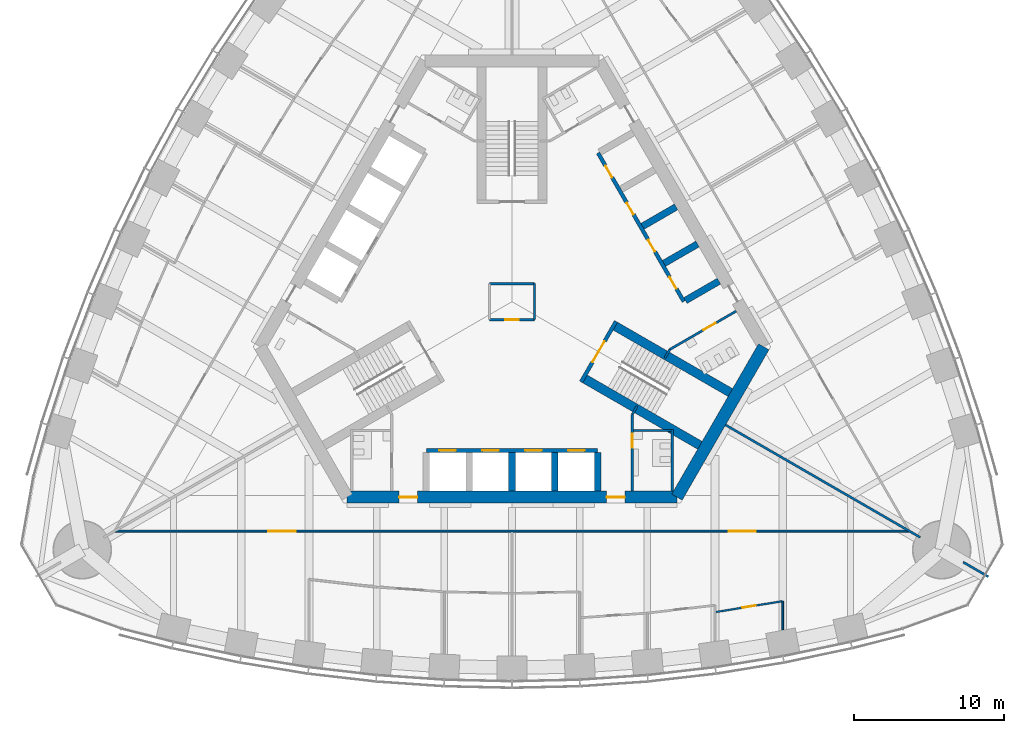
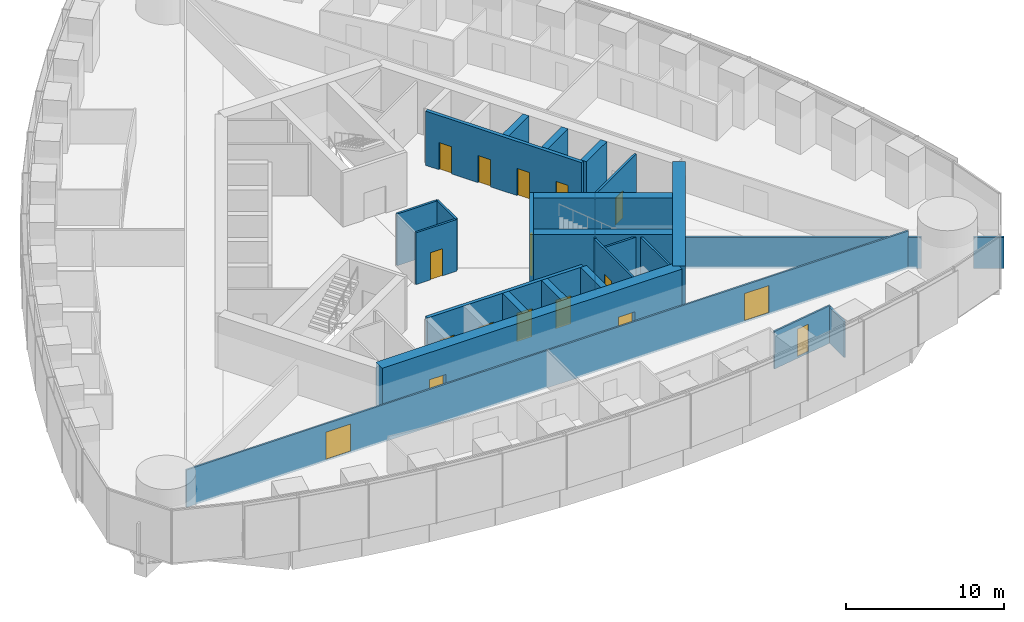
# One storey, part 12 of 19: 27 walls, 17 doors, 17 openings.
"""IFC4 building model written with IfcOpenShell, lengths in metres."""

from ifc_helpers import new_model, si_unit, direction, frame, frame_2d, origin, place, context, subcontext, project, spatial, rectangle, extrude, material, layer, layer_set, type_object, element, fill, save


model = new_model("IFC4")

# Units and contexts
model_context = context("Model", 3, precision=1e-05, world=origin(), true_north=direction((0.0, 1.0)))
body_context = subcontext(model_context, "Body", "Model", "MODEL_VIEW")
ifc_project = project(units=[si_unit("LENGTHUNIT", "METRE"), si_unit("AREAUNIT", "SQUARE_METRE"), si_unit("VOLUMEUNIT", "CUBIC_METRE"), si_unit("PLANEANGLEUNIT", "RADIAN"), si_unit("MASSUNIT", "GRAM", prefix="KILO")], contexts=[model_context])

# Site, building, storey
site_placement = place(None, origin())
site = spatial("IfcSite", under=ifc_project, at=site_placement, CompositionType="ELEMENT")
building_placement = place(site_placement, origin())
building = spatial("IfcBuilding", under=site, at=building_placement, Name="Trefoil Bronze Tower", CompositionType="ELEMENT")
storey_placement = place(building_placement, frame((0.0, 0.0, 193.89990234375)))
storey = spatial("IfcBuildingStorey", under=building, at=storey_placement, Name="L44", CompositionType="ELEMENT", Elevation=193.89990234375)

# Wall, openings, doors
ifc_material_1 = material(Name="Concrete B80", Category="concrete")
ifc_layer_1 = layer(ifc_material_1, 0.800048828125)
ifc_layer_set_1 = layer_set([ifc_layer_1], Name="Core wall 800")
wall_type_1 = type_object("IfcWallType", Name="Core wall 800", PredefinedType="SHEAR", material=ifc_layer_set_1)
wall_1_placement = place(storey_placement, frame((-10.9697265625, -13.0, 0.0), z_axis=(0.0, 0.0, 1.0), x_axis=(1.0, 0.0, 0.0)))
wall_1 = element("IfcWall", 1, at=wall_1_placement, inside=storey, type_object=wall_type_1, Name="Core long wall 1 L44", PredefinedType="SHEAR", context=body_context, shape_type="SweptSolid", body=[
    extrude(rectangle(XDim=21.939453125, YDim=0.800048828125, at=frame_2d((10.9697265625, 0.0))), origin(), (0.0, 0.0, 1.0), 4.2001953125),
])
opening_1_placement = place(wall_1_placement, frame((17.269775390625, 0.0, 0.0)))
opening_1 = element("IfcOpeningElement", 2, at=opening_1_placement, cuts=wall_1, Name="Opening D2", PredefinedType="OPENING", context=body_context, shape_type="SweptSolid", body=[
    extrude(rectangle(XDim=1.199951171875, YDim=2.10009765625, at=frame_2d((0.60009765625, 1.050048828125))), frame((0.0, 0.409912109375, 0.0), z_axis=(0.0, -1.0, 0.0), x_axis=(1.0, 0.0, 0.0)), (0.0, 0.0, 1.0), 0.820068359375),
])
opening_2_placement = place(wall_1_placement, frame((3.4697265625, 0.0, 0.0)))
opening_2 = element("IfcOpeningElement", 3, at=opening_2_placement, cuts=wall_1, Name="Opening D2", PredefinedType="OPENING", context=body_context, shape_type="SweptSolid", body=[
    extrude(rectangle(XDim=1.199951171875, YDim=2.10009765625, at=frame_2d((0.60009765625, 1.050048828125))), frame((0.0, 0.409912109375, 0.0), z_axis=(0.0, -1.0, 0.0), x_axis=(1.0, 0.0, 0.0)), (0.0, 0.0, 1.0), 0.820068359375),
])
ifc_material_2 = material(Name="Steel door", Category="steel")
door_type_1 = type_object("IfcDoorType", Name="Lobby door 1200", OperationType="SINGLE_SWING_RIGHT", PredefinedType="DOOR", material=ifc_material_2)
door_1_placement = place(opening_1_placement, origin())
door_1 = element("IfcDoor", 4, at=door_1_placement, inside=storey, type_object=door_type_1, Name="Lobby door F1+ L44", OperationType="SINGLE_SWING_RIGHT", OverallHeight=2.10009765625, OverallWidth=1.199951171875, PredefinedType="DOOR", context=body_context, shape_type="SweptSolid", body=[
    extrude(rectangle(XDim=1.199951171875, YDim=2.10009765625, at=frame_2d((0.60009765625, 1.050048828125))), frame((0.0, 0.02490234375, 0.0), z_axis=(0.0, -1.0, 0.0), x_axis=(1.0, 0.0, 0.0)), (0.0, 0.0, 1.0), 0.050048828125),
])
fill(opening_1, door_1)
door_2_placement = place(opening_2_placement, origin())
door_2 = element("IfcDoor", 5, at=door_2_placement, inside=storey, type_object=door_type_1, Name="Lobby door F1- L44", OperationType="SINGLE_SWING_LEFT", OverallHeight=2.10009765625, OverallWidth=1.199951171875, PredefinedType="DOOR", context=body_context, shape_type="SweptSolid", body=[
    extrude(rectangle(XDim=1.199951171875, YDim=2.10009765625, at=frame_2d((0.60009765625, 1.050048828125))), frame((0.0, 0.02490234375, 0.0), z_axis=(0.0, -1.0, 0.0), x_axis=(1.0, 0.0, 0.0)), (0.0, 0.0, 1.0), 0.050048828125),
])
fill(opening_2, door_2)

# Wall
wall_2_placement = place(storey_placement, frame((10.9697265625, -13.0, 0.0), z_axis=(0.0, 0.0, 1.0), x_axis=(0.499995765644, 0.866027848477, 0.0)))
element("IfcWall", 6, at=wall_2_placement, inside=storey, type_object=wall_type_1, Name="Core short wall 1 L44", PredefinedType="SHEAR", context=body_context, shape_type="SweptSolid", body=[
    extrude(rectangle(XDim=11.546875, YDim=0.800048828125, at=frame_2d((5.7734375, 0.0))), origin(), (0.0, 0.0, 1.0), 4.2001953125),
])

# Wall, openings, doors
ifc_material_3 = material(Name="Glazed partition", Category="glass")
ifc_layer_2 = layer(ifc_material_3, 0.1201171875)
ifc_layer_set_2 = layer_set([ifc_layer_2], Name="Glazed partition 120")
wall_type_2 = type_object("IfcWallType", Name="Glazed partition 120", PredefinedType="PARTITIONING", material=ifc_layer_set_2)
wall_3_placement = place(storey_placement, frame((-26.398193359375, -15.260009765625, 0.0), z_axis=(0.0, 0.0, 1.0), x_axis=(1.0, 0.0, 0.0)))
wall_3 = element("IfcWall", 7, at=wall_3_placement, inside=storey, type_object=wall_type_2, Name="Partition F1 L44", PredefinedType="PARTITIONING", context=body_context, shape_type="SweptSolid", body=[
    extrude(rectangle(XDim=52.79638671875, YDim=0.1201171875, at=frame_2d((26.398193359375, 0.0))), origin(), (0.0, 0.0, 1.0), 2.900146484375),
])
opening_3_placement = place(wall_3_placement, frame((10.199951171875, 0.0, 0.14990234375)))
opening_3 = element("IfcOpeningElement", 8, at=opening_3_placement, cuts=wall_3, Name="Opening D10", PredefinedType="OPENING", context=body_context, shape_type="SweptSolid", body=[
    extrude(rectangle(XDim=1.800048828125, YDim=2.10009765625, at=frame_2d((0.89990234375, 1.050048828125))), frame((0.0, 0.070068359375, 0.0), z_axis=(0.0, -1.0, 0.0), x_axis=(1.0, 0.0, 0.0)), (0.0, 0.0, 1.0), 0.14013671875),
])
opening_4_placement = place(wall_3_placement, frame((40.800048828125, 0.0, 0.14990234375)))
opening_4 = element("IfcOpeningElement", 9, at=opening_4_placement, cuts=wall_3, Name="Opening D10", PredefinedType="OPENING", context=body_context, shape_type="SweptSolid", body=[
    extrude(rectangle(XDim=1.800048828125, YDim=2.10009765625, at=frame_2d((0.89990234375, 1.050048828125))), frame((0.0, 0.070068359375, 0.0), z_axis=(0.0, -1.0, 0.0), x_axis=(1.0, 0.0, 0.0)), (0.0, 0.0, 1.0), 0.14013671875),
])
ifc_material_4 = material(Name="Timber door", Category="wood")
door_type_2 = type_object("IfcDoorType", Name="Double door 1800", OperationType="DOUBLE_DOOR_SINGLE_SWING", PredefinedType="DOOR", material=ifc_material_4)
door_3_placement = place(opening_3_placement, origin())
door_3 = element("IfcDoor", 10, at=door_3_placement, inside=storey, type_object=door_type_2, Name="Corridor door F1 L44", OperationType="DOUBLE_DOOR_SINGLE_SWING", OverallHeight=2.10009765625, OverallWidth=1.800048828125, PredefinedType="DOOR", context=body_context, shape_type="SweptSolid", body=[
    extrude(rectangle(XDim=1.800048828125, YDim=2.10009765625, at=frame_2d((0.89990234375, 1.050048828125))), frame((0.0, 0.02490234375, 0.0), z_axis=(0.0, -1.0, 0.0), x_axis=(1.0, 0.0, 0.0)), (0.0, 0.0, 1.0), 0.050048828125),
])
fill(opening_3, door_3)
door_4_placement = place(opening_4_placement, origin())
door_4 = element("IfcDoor", 11, at=door_4_placement, inside=storey, type_object=door_type_2, Name="Corridor door F1 L44", OperationType="DOUBLE_DOOR_SINGLE_SWING", OverallHeight=2.10009765625, OverallWidth=1.800048828125, PredefinedType="DOOR", context=body_context, shape_type="SweptSolid", body=[
    extrude(rectangle(XDim=1.800048828125, YDim=2.10009765625, at=frame_2d((0.89990234375, 1.050048828125))), frame((0.0, 0.02490234375, 0.0), z_axis=(0.0, -1.0, 0.0), x_axis=(1.0, 0.0, 0.0)), (0.0, 0.0, 1.0), 0.050048828125),
])
fill(opening_4, door_4)

# Wall, opening, door
wall_4_placement = place(storey_placement, frame((13.5, -20.651123046875, 0.0), z_axis=(0.0, 0.0, 1.0), x_axis=(0.986986525477, 0.160802980469, 0.0)))
wall_4 = element("IfcWall", 12, at=wall_4_placement, inside=storey, type_object=wall_type_2, Name="Partition F1 L44", PredefinedType="PARTITIONING", context=body_context, shape_type="SweptSolid", body=[
    extrude(rectangle(XDim=4.559326171875, YDim=0.1201171875, at=frame_2d((2.27978515625, 0.0))), origin(), (0.0, 0.0, 1.0), 2.900146484375),
])
opening_5_placement = place(wall_4_placement, frame((1.85009765625, 0.0, 0.14990234375)))
opening_5 = element("IfcOpeningElement", 13, at=opening_5_placement, cuts=wall_4, Name="Opening D8", PredefinedType="OPENING", context=body_context, shape_type="SweptSolid", body=[
    extrude(rectangle(XDim=0.89990234375, YDim=2.10009765625, at=frame_2d((0.449951171875, 1.050048828125))), frame((0.0, 0.070068359375, 0.0), z_axis=(0.0, -1.0, 0.0), x_axis=(1.0, 0.0, 0.0)), (0.0, 0.0, 1.0), 0.14013671875),
])
ifc_material_5 = material(Name="Timber door", Category="wood")
door_type_3 = type_object("IfcDoorType", Name="Office door 900", OperationType="SINGLE_SWING_LEFT", PredefinedType="DOOR", material=ifc_material_5)
door_5_placement = place(opening_5_placement, frame((0.89990234375, 0.0, 0.0), z_axis=(0.0, 0.0, 1.0), x_axis=(-1.0, 0.0, 0.0)))
door_5 = element("IfcDoor", 14, at=door_5_placement, inside=storey, type_object=door_type_3, Name="Print and store room door F1 L44", OperationType="SINGLE_SWING_LEFT", OverallHeight=2.10009765625, OverallWidth=0.89990234375, PredefinedType="DOOR", context=body_context, shape_type="SweptSolid", body=[
    extrude(rectangle(XDim=0.89990234375, YDim=2.10009765625, at=frame_2d((0.449951171875, 1.050048828125))), frame((0.0, 0.02490234375, 0.0), z_axis=(0.0, -1.0, 0.0), x_axis=(1.0, 0.0, 0.0)), (0.0, 0.0, 1.0), 0.050048828125),
])
fill(opening_5, door_5)

# Walls
wall_5_placement = place(storey_placement, frame((18.0, -19.91796875, 0.0), z_axis=(0.0, 0.0, 1.0), x_axis=(0.0, -1.0, 0.0)))
element("IfcWall", 15, at=wall_5_placement, inside=storey, type_object=wall_type_2, Name="Partition F1 L44", PredefinedType="PARTITIONING", context=body_context, shape_type="SweptSolid", body=[
    extrude(rectangle(XDim=1.906982421875, YDim=0.1201171875, at=frame_2d((0.95361328125, 0.0))), origin(), (0.0, 0.0, 1.0), 2.800048828125),
])
ifc_material_6 = material(Name="Concrete B80", Category="concrete")
ifc_layer_3 = layer(ifc_material_6, 0.449951171875)
ifc_layer_set_3 = layer_set([ifc_layer_3], Name="Outrigger shaft wall 450")
wall_type_3 = type_object("IfcWallType", Name="Outrigger shaft wall 450", PredefinedType="SHEAR", material=ifc_layer_set_3)
for number, where, z_axis, x_axis, name in (
    (16, (0.0, -10.02490234375, 0.0), (0.0, 0.0, 1.0), (0.0, -1.0, 0.0), "Lift shaft side wall A2 L44"),
    (17, (2.85009765625, -10.02490234375, 0.0), (0.0, 0.0, 1.0), (0.0, -1.0, 0.0), "Lift shaft side wall A3 L44"),
    (18, (5.699951171875, -10.02490234375, 0.0), (0.0, 0.0, 1.0), (0.0, -1.0, 0.0), "Lift shaft side wall A4 L44"),
):
    element("IfcWall", number, at=place(storey_placement, frame(where, z_axis=z_axis, x_axis=x_axis)), inside=storey, type_object=wall_type_3, Name=name, PredefinedType="SHEAR", context=body_context, shape_type="SweptSolid", body=[
        extrude(rectangle(XDim=2.5751953125, YDim=0.449951171875, at=frame_2d((1.28759765625, 0.0))), origin(), (0.0, 0.0, 1.0), 4.2001953125),
    ])
for number, where, z_axis, x_axis, name in (
    (19, (11.531982421875, 0.076171875, 0.0), (0.0, 0.0, 1.0), (0.866005588531, 0.500034319456, 0.0), "Lift shaft side wall B0 L44"),
    (20, (10.10693359375, 2.54443359375, 0.0), (0.0, 0.0, 1.0), (0.866046643894, 0.499963209246, 0.0), "Lift shaft side wall B1 L44"),
    (21, (8.681884765625, 5.012451171875, 0.0), (0.0, 0.0, 1.0), (0.866005588531, 0.500034319456, 0.0), "Lift shaft side wall B2 L44"),
):
    element("IfcWall", number, at=place(storey_placement, frame(where, z_axis=z_axis, x_axis=x_axis)), inside=storey, type_object=wall_type_3, Name=name, PredefinedType="SHEAR", context=body_context, shape_type="SweptSolid", body=[
        extrude(rectangle(XDim=2.574951171875, YDim=0.449951171875, at=frame_2d((1.28759765625, 0.0))), origin(), (0.0, 0.0, 1.0), 4.2001953125),
    ])

# Wall, opening, door
ifc_material_7 = material(Name="Gypsum board on steel studs", Category="steel")
ifc_layer_4 = layer(ifc_material_7, 0.14990234375)
ifc_layer_set_4 = layer_set([ifc_layer_4], Name="Partition 150")
wall_type_4 = type_object("IfcWallType", Name="Partition 150", PredefinedType="PARTITIONING", material=ifc_layer_set_4)
wall_6_placement = place(storey_placement, frame((8.0, -7.5, 0.0), z_axis=(0.0, 0.0, 1.0), x_axis=(0.0, -1.0, 0.0)))
wall_6 = element("IfcWall", 22, at=wall_6_placement, inside=storey, type_object=wall_type_4, Name="Passage wall F1+ L44", PredefinedType="PARTITIONING", context=body_context, shape_type="SweptSolid", body=[
    extrude(rectangle(XDim=5.10009765625, YDim=0.14990234375, at=frame_2d((2.550048828125, 0.0))), origin(), (0.0, 0.0, 1.0), 4.0),
])
opening_6_placement = place(wall_6_placement, frame((1.300048828125, 0.0, 0.0)))
opening_6 = element("IfcOpeningElement", 23, at=opening_6_placement, cuts=wall_6, Name="Opening D3", PredefinedType="OPENING", context=body_context, shape_type="SweptSolid", body=[
    extrude(rectangle(XDim=0.89990234375, YDim=2.10009765625, at=frame_2d((0.449951171875, 1.050048828125))), frame((0.0, 0.0849609375, 0.0), z_axis=(0.0, -1.0, 0.0), x_axis=(1.0, 0.0, 0.0)), (0.0, 0.0, 1.0), 0.169921875),
])
ifc_material_8 = material(Name="Timber door", Category="wood")
door_type_4 = type_object("IfcDoorType", Name="WC door 900", OperationType="SINGLE_SWING_LEFT", PredefinedType="DOOR", material=ifc_material_8)
door_6_placement = place(opening_6_placement, origin())
door_6 = element("IfcDoor", 24, at=door_6_placement, inside=storey, type_object=door_type_4, Name="WC (men) door L44", OperationType="SINGLE_SWING_LEFT", OverallHeight=2.10009765625, OverallWidth=0.89990234375, PredefinedType="DOOR", context=body_context, shape_type="SweptSolid", body=[
    extrude(rectangle(XDim=0.89990234375, YDim=2.10009765625, at=frame_2d((0.449951171875, 1.050048828125))), frame((0.0, 0.02490234375, 0.0), z_axis=(0.0, -1.0, 0.0), x_axis=(1.0, 0.0, 0.0)), (0.0, 0.0, 1.0), 0.050048828125),
])
fill(opening_6, door_6)

wall_7_placement = place(storey_placement, frame((10.4951171875, -3.17822265625, 0.0), z_axis=(0.0, 0.0, 1.0), x_axis=(0.86602216432, 0.500005610874, 0.0)))
wall_7 = element("IfcWall", 25, at=wall_7_placement, inside=storey, type_object=wall_type_4, Name="Passage wall F2- L44", PredefinedType="PARTITIONING", context=body_context, shape_type="SweptSolid", body=[
    extrude(rectangle(XDim=5.10009765625, YDim=0.14990234375, at=frame_2d((2.550048828125, 0.0))), origin(), (0.0, 0.0, 1.0), 4.0),
])
opening_7_placement = place(wall_7_placement, frame((2.60009765625, 0.0, 0.0)))
opening_7 = element("IfcOpeningElement", 26, at=opening_7_placement, cuts=wall_7, Name="Opening D3", PredefinedType="OPENING", context=body_context, shape_type="SweptSolid", body=[
    extrude(rectangle(XDim=0.89990234375, YDim=2.10009765625, at=frame_2d((0.449951171875, 1.050048828125))), frame((0.0, 0.0849609375, 0.0), z_axis=(0.0, -1.0, 0.0), x_axis=(1.0, 0.0, 0.0)), (0.0, 0.0, 1.0), 0.169921875),
])
door_7_placement = place(opening_7_placement, frame((0.89990234375, 0.0, 0.0), z_axis=(0.0, 0.0, 1.0), x_axis=(-1.0, 0.0, 0.0)))
door_7 = element("IfcDoor", 27, at=door_7_placement, inside=storey, type_object=door_type_4, Name="WC (women) door L44", OperationType="SINGLE_SWING_LEFT", OverallHeight=2.10009765625, OverallWidth=0.89990234375, PredefinedType="DOOR", context=body_context, shape_type="SweptSolid", body=[
    extrude(rectangle(XDim=0.89990234375, YDim=2.10009765625, at=frame_2d((0.449951171875, 1.050048828125))), frame((0.0, 0.02490234375, 0.0), z_axis=(0.0, -1.0, 0.0), x_axis=(1.0, 0.0, 0.0)), (0.0, 0.0, 1.0), 0.050048828125),
])
fill(opening_7, door_7)

# Walls
for number, where, z_axis, x_axis, name in (
    (28, (8.0, -7.5, 0.0), (0.0, 0.0, 1.0), (0.499842556608, 0.866116284689, 0.0), "WC wall ST1-1 L44"),
    (29, (10.4951171875, -3.17822265625, 0.0), (0.0, 0.0, 1.0), (-0.499842556608, -0.866116284689, 0.0), "WC wall ST1+1 L44"),
):
    element("IfcWall", number, at=place(storey_placement, frame(where, z_axis=z_axis, x_axis=x_axis)), inside=storey, type_object=wall_type_4, Name=name, PredefinedType="PARTITIONING", context=body_context, shape_type="SweptSolid", body=[
        extrude(rectangle(XDim=0.645263671875, YDim=0.14990234375, at=frame_2d((0.32275390625, 0.0))), origin(), (0.0, 0.0, 1.0), 4.0),
    ])
wall_8_placement = place(storey_placement, frame((10.659912109375, -8.5, 0.0), z_axis=(0.0, 0.0, 1.0), x_axis=(0.0, -1.0, 0.0)))
element("IfcWall", 30, at=wall_8_placement, inside=storey, type_object=wall_type_4, Name="WC partition WC (men) L44", PredefinedType="PARTITIONING", context=body_context, shape_type="SweptSolid", body=[
    extrude(rectangle(XDim=4.10009765625, YDim=0.14990234375, at=frame_2d((2.050048828125, 0.0))), origin(), (0.0, 0.0, 1.0), 4.0),
])
wall_9_placement = place(storey_placement, frame((8.074951171875, -8.574951171875, 0.0), z_axis=(0.0, 0.0, 1.0), x_axis=(1.0, 0.0, 0.0)))
element("IfcWall", 31, at=wall_9_placement, inside=storey, type_object=wall_type_4, Name="WC partition WC (men) L44", PredefinedType="PARTITIONING", context=body_context, shape_type="SweptSolid", body=[
    extrude(rectangle(XDim=2.510009765625, YDim=0.14990234375, at=frame_2d((1.2548828125, 0.0))), origin(), (0.0, 0.0, 1.0), 4.0),
])
ifc_material_9 = material(Name="Gypsum board on steel studs", Category="steel")
ifc_layer_5 = layer(ifc_material_9, 0.14990234375)
ifc_layer_set_5 = layer_set([ifc_layer_5], Name="Party wall 150")
wall_type_5 = type_object("IfcWallType", Name="Party wall 150", PredefinedType="PARTITIONING", material=ifc_layer_set_5)
wall_10_placement = place(storey_placement, frame((14.202880859375, -8.199951171875, 0.0), z_axis=(0.0, 0.0, 1.0), x_axis=(0.866021600284, -0.500006587798, 0.0)))
element("IfcWall", 32, at=wall_10_placement, inside=storey, type_object=wall_type_5, Name="Party wall K1 L44", PredefinedType="PARTITIONING", context=body_context, shape_type="SweptSolid", body=[
    extrude(rectangle(XDim=14.949951171875, YDim=0.14990234375, at=frame_2d((7.47509765625, 0.0))), origin(), (0.0, 0.0, 1.0), 2.400146484375),
])
wall_11_placement = place(storey_placement, frame((30.0078125, -17.324951171875, 0.0), z_axis=(0.0, 0.0, 1.0), x_axis=(0.866013246922, -0.500021055713, 0.0)))
element("IfcWall", 33, at=wall_11_placement, inside=storey, type_object=wall_type_5, Name="Party wall K1 L44", PredefinedType="PARTITIONING", context=body_context, shape_type="SweptSolid", body=[
    extrude(rectangle(XDim=1.9345703125, YDim=0.14990234375, at=frame_2d((0.96728515625, 0.0))), origin(), (0.0, 0.0, 1.0), 2.400146484375),
])

# Wall, opening, door
ifc_material_10 = material(Name="Gypsum board on steel studs", Category="steel")
ifc_layer_6 = layer(ifc_material_10, 0.14990234375)
ifc_layer_set_6 = layer_set([ifc_layer_6], Name="Riser wall 150")
wall_type_6 = type_object("IfcWallType", Name="Riser wall 150", PredefinedType="PARTITIONING", material=ifc_layer_set_6)
wall_12_placement = place(storey_placement, frame((-1.5, -1.199951171875, 0.0), z_axis=(0.0, 0.0, 1.0), x_axis=(1.0, 0.0, 0.0)))
wall_12 = element("IfcWall", 34, at=wall_12_placement, inside=storey, type_object=wall_type_6, Name="Riser wall L44", PredefinedType="PARTITIONING", context=body_context, shape_type="SweptSolid", body=[
    extrude(rectangle(XDim=3.0, YDim=0.14990234375, at=frame_2d((1.5, 0.0))), origin(), (0.0, 0.0, 1.0), 4.0),
])
opening_8_placement = place(wall_12_placement, frame((1.050048828125, 0.0, 0.0)))
opening_8 = element("IfcOpeningElement", 35, at=opening_8_placement, cuts=wall_12, Name="Opening D4", PredefinedType="OPENING", context=body_context, shape_type="SweptSolid", body=[
    extrude(rectangle(XDim=0.89990234375, YDim=2.10009765625, at=frame_2d((0.449951171875, 1.050048828125))), frame((0.0, 0.0849609375, 0.0), z_axis=(0.0, -1.0, 0.0), x_axis=(1.0, 0.0, 0.0)), (0.0, 0.0, 1.0), 0.169921875),
])
ifc_material_11 = material(Name="Steel door", Category="steel")
door_type_5 = type_object("IfcDoorType", Name="Riser door 900", OperationType="SINGLE_SWING_LEFT", PredefinedType="DOOR", material=ifc_material_11)
door_8_placement = place(opening_8_placement, frame((0.89990234375, 0.0, 0.0), z_axis=(0.0, 0.0, 1.0), x_axis=(-1.0, 0.0, 0.0)))
door_8 = element("IfcDoor", 36, at=door_8_placement, inside=storey, type_object=door_type_5, Name="Riser door L44", OperationType="SINGLE_SWING_LEFT", OverallHeight=2.10009765625, OverallWidth=0.89990234375, PredefinedType="DOOR", context=body_context, shape_type="SweptSolid", body=[
    extrude(rectangle(XDim=0.89990234375, YDim=2.10009765625, at=frame_2d((0.449951171875, 1.050048828125))), frame((0.0, 0.02490234375, 0.0), z_axis=(0.0, -1.0, 0.0), x_axis=(1.0, 0.0, 0.0)), (0.0, 0.0, 1.0), 0.050048828125),
])
fill(opening_8, door_8)

# Walls
wall_13_placement = place(storey_placement, frame((1.5, -1.199951171875, 0.0), z_axis=(0.0, 0.0, 1.0), x_axis=(0.0, 1.0, 0.0)))
element("IfcWall", 37, at=wall_13_placement, inside=storey, type_object=wall_type_6, Name="Riser wall L44", PredefinedType="PARTITIONING", context=body_context, shape_type="SweptSolid", body=[
    extrude(rectangle(XDim=2.39990234375, YDim=0.14990234375, at=frame_2d((1.199951171875, 0.0))), origin(), (0.0, 0.0, 1.0), 4.0),
])
wall_14_placement = place(storey_placement, frame((1.5, 1.199951171875, 0.0), z_axis=(0.0, 0.0, 1.0), x_axis=(-1.0, 0.0, 0.0)))
element("IfcWall", 38, at=wall_14_placement, inside=storey, type_object=wall_type_6, Name="Riser wall L44", PredefinedType="PARTITIONING", context=body_context, shape_type="SweptSolid", body=[
    extrude(rectangle(XDim=3.0, YDim=0.14990234375, at=frame_2d((1.5, 0.0))), origin(), (0.0, 0.0, 1.0), 4.0),
])

# Wall, openings, doors
ifc_material_12 = material(Name="Concrete B80", Category="concrete")
ifc_layer_7 = layer(ifc_material_12, 0.25)
ifc_layer_set_7 = layer_set([ifc_layer_7], Name="Shaft wall 250")
wall_type_7 = type_object("IfcWallType", Name="Shaft wall 250", PredefinedType="SHEAR", material=ifc_layer_set_7)
wall_15_placement = place(storey_placement, frame((-5.699951171875, -9.89990234375, 0.0), z_axis=(0.0, 0.0, 1.0), x_axis=(1.0, 0.0, 0.0)))
wall_15 = element("IfcWall", 39, at=wall_15_placement, inside=storey, type_object=wall_type_7, Name="Lift shaft front wall A L44", PredefinedType="SHEAR", context=body_context, shape_type="SweptSolid", body=[
    extrude(rectangle(XDim=11.39990234375, YDim=0.25, at=frame_2d((5.699951171875, 0.0))), origin(), (0.0, 0.0, 1.0), 4.2001953125),
])
opening_9_placement = place(wall_15_placement, frame((0.875, 0.0, 0.0)))
opening_9 = element("IfcOpeningElement", 40, at=opening_9_placement, cuts=wall_15, Name="Opening LD-P31", PredefinedType="OPENING", context=body_context, shape_type="SweptSolid", body=[
    extrude(rectangle(XDim=1.10009765625, YDim=2.199951171875, at=frame_2d((0.550048828125, 1.10009765625))), frame((0.0, 0.135009765625, 0.0), z_axis=(0.0, -1.0, 0.0), x_axis=(1.0, 0.0, 0.0)), (0.0, 0.0, 1.0), 0.27001953125),
])
opening_10_placement = place(wall_15_placement, frame((3.72509765625, 0.0, 0.0)))
opening_10 = element("IfcOpeningElement", 41, at=opening_10_placement, cuts=wall_15, Name="Opening LD-P32", PredefinedType="OPENING", context=body_context, shape_type="SweptSolid", body=[
    extrude(rectangle(XDim=1.10009765625, YDim=2.199951171875, at=frame_2d((0.550048828125, 1.10009765625))), frame((0.0, 0.135009765625, 0.0), z_axis=(0.0, -1.0, 0.0), x_axis=(1.0, 0.0, 0.0)), (0.0, 0.0, 1.0), 0.27001953125),
])
opening_11_placement = place(wall_15_placement, frame((6.574951171875, 0.0, 0.0)))
opening_11 = element("IfcOpeningElement", 42, at=opening_11_placement, cuts=wall_15, Name="Opening LD-P33", PredefinedType="OPENING", context=body_context, shape_type="SweptSolid", body=[
    extrude(rectangle(XDim=1.10009765625, YDim=2.199951171875, at=frame_2d((0.550048828125, 1.10009765625))), frame((0.0, 0.135009765625, 0.0), z_axis=(0.0, -1.0, 0.0), x_axis=(1.0, 0.0, 0.0)), (0.0, 0.0, 1.0), 0.27001953125),
])
opening_12_placement = place(wall_15_placement, frame((9.425048828125, 0.0, 0.0)))
opening_12 = element("IfcOpeningElement", 43, at=opening_12_placement, cuts=wall_15, Name="Opening LD-P34", PredefinedType="OPENING", context=body_context, shape_type="SweptSolid", body=[
    extrude(rectangle(XDim=1.10009765625, YDim=2.199951171875, at=frame_2d((0.550048828125, 1.10009765625))), frame((0.0, 0.135009765625, 0.0), z_axis=(0.0, -1.0, 0.0), x_axis=(1.0, 0.0, 0.0)), (0.0, 0.0, 1.0), 0.27001953125),
])
ifc_material_13 = material(Name="Steel door", Category="steel")
door_type_6 = type_object("IfcDoorType", Name="Lift landing door 1100", OperationType="DOUBLE_DOOR_SLIDING", PredefinedType="DOOR", material=ifc_material_13)
door_9_placement = place(opening_9_placement, origin())
door_9 = element("IfcDoor", 44, at=door_9_placement, inside=storey, type_object=door_type_6, Name="Lift P31 landing door L44", OperationType="DOUBLE_DOOR_SLIDING", OverallHeight=2.199951171875, OverallWidth=1.10009765625, PredefinedType="DOOR", context=body_context, shape_type="SweptSolid", body=[
    extrude(rectangle(XDim=1.10009765625, YDim=2.199951171875, at=frame_2d((0.550048828125, 1.10009765625))), frame((0.0, 0.02490234375, 0.0), z_axis=(0.0, -1.0, 0.0), x_axis=(1.0, 0.0, 0.0)), (0.0, 0.0, 1.0), 0.050048828125),
])
fill(opening_9, door_9)
door_10_placement = place(opening_10_placement, origin())
door_10 = element("IfcDoor", 45, at=door_10_placement, inside=storey, type_object=door_type_6, Name="Lift P32 landing door L44", OperationType="DOUBLE_DOOR_SLIDING", OverallHeight=2.199951171875, OverallWidth=1.10009765625, PredefinedType="DOOR", context=body_context, shape_type="SweptSolid", body=[
    extrude(rectangle(XDim=1.10009765625, YDim=2.199951171875, at=frame_2d((0.550048828125, 1.10009765625))), frame((0.0, 0.02490234375, 0.0), z_axis=(0.0, -1.0, 0.0), x_axis=(1.0, 0.0, 0.0)), (0.0, 0.0, 1.0), 0.050048828125),
])
fill(opening_10, door_10)
door_11_placement = place(opening_11_placement, origin())
door_11 = element("IfcDoor", 46, at=door_11_placement, inside=storey, type_object=door_type_6, Name="Lift P33 landing door L44", OperationType="DOUBLE_DOOR_SLIDING", OverallHeight=2.199951171875, OverallWidth=1.10009765625, PredefinedType="DOOR", context=body_context, shape_type="SweptSolid", body=[
    extrude(rectangle(XDim=1.10009765625, YDim=2.199951171875, at=frame_2d((0.550048828125, 1.10009765625))), frame((0.0, 0.02490234375, 0.0), z_axis=(0.0, -1.0, 0.0), x_axis=(1.0, 0.0, 0.0)), (0.0, 0.0, 1.0), 0.050048828125),
])
fill(opening_11, door_11)
door_12_placement = place(opening_12_placement, origin())
door_12 = element("IfcDoor", 47, at=door_12_placement, inside=storey, type_object=door_type_6, Name="Lift P34 landing door L44", OperationType="DOUBLE_DOOR_SLIDING", OverallHeight=2.199951171875, OverallWidth=1.10009765625, PredefinedType="DOOR", context=body_context, shape_type="SweptSolid", body=[
    extrude(rectangle(XDim=1.10009765625, YDim=2.199951171875, at=frame_2d((0.550048828125, 1.10009765625))), frame((0.0, 0.02490234375, 0.0), z_axis=(0.0, -1.0, 0.0), x_axis=(1.0, 0.0, 0.0)), (0.0, 0.0, 1.0), 0.050048828125),
])
fill(opening_12, door_12)

wall_16_placement = place(storey_placement, frame((11.423583984375, 0.013671875, 0.0), z_axis=(0.0, 0.0, 1.0), x_axis=(-0.500001763848, 0.866024385424, 0.0)))
wall_16 = element("IfcWall", 48, at=wall_16_placement, inside=storey, type_object=wall_type_7, Name="Lift shaft front wall B L44", PredefinedType="SHEAR", context=body_context, shape_type="SweptSolid", body=[
    extrude(rectangle(XDim=11.39990234375, YDim=0.25, at=frame_2d((5.699951171875, 0.0))), origin(), (0.0, 0.0, 1.0), 4.2001953125),
])
opening_13_placement = place(wall_16_placement, frame((0.97509765625, 0.0, 0.0)))
opening_13 = element("IfcOpeningElement", 49, at=opening_13_placement, cuts=wall_16, Name="Opening D12", PredefinedType="OPENING", context=body_context, shape_type="SweptSolid", body=[
    extrude(rectangle(XDim=0.89990234375, YDim=2.10009765625, at=frame_2d((0.449951171875, 1.050048828125))), frame((0.0, 0.135009765625, 0.0), z_axis=(0.0, -1.0, 0.0), x_axis=(1.0, 0.0, 0.0)), (0.0, 0.0, 1.0), 0.27001953125),
])
opening_14_placement = place(wall_16_placement, frame((3.824951171875, 0.0, 0.0)))
opening_14 = element("IfcOpeningElement", 50, at=opening_14_placement, cuts=wall_16, Name="Opening D12", PredefinedType="OPENING", context=body_context, shape_type="SweptSolid", body=[
    extrude(rectangle(XDim=0.89990234375, YDim=2.10009765625, at=frame_2d((0.449951171875, 1.050048828125))), frame((0.0, 0.135009765625, 0.0), z_axis=(0.0, -1.0, 0.0), x_axis=(1.0, 0.0, 0.0)), (0.0, 0.0, 1.0), 0.27001953125),
])
opening_15_placement = place(wall_16_placement, frame((6.675048828125, 0.0, 0.0)))
opening_15 = element("IfcOpeningElement", 51, at=opening_15_placement, cuts=wall_16, Name="Opening D12", PredefinedType="OPENING", context=body_context, shape_type="SweptSolid", body=[
    extrude(rectangle(XDim=0.89990234375, YDim=2.10009765625, at=frame_2d((0.449951171875, 1.050048828125))), frame((0.0, 0.135009765625, 0.0), z_axis=(0.0, -1.0, 0.0), x_axis=(1.0, 0.0, 0.0)), (0.0, 0.0, 1.0), 0.27001953125),
])
opening_16_placement = place(wall_16_placement, frame((9.52490234375, 0.0, 0.0)))
opening_16 = element("IfcOpeningElement", 52, at=opening_16_placement, cuts=wall_16, Name="Opening D12", PredefinedType="OPENING", context=body_context, shape_type="SweptSolid", body=[
    extrude(rectangle(XDim=0.89990234375, YDim=2.10009765625, at=frame_2d((0.449951171875, 1.050048828125))), frame((0.0, 0.135009765625, 0.0), z_axis=(0.0, -1.0, 0.0), x_axis=(1.0, 0.0, 0.0)), (0.0, 0.0, 1.0), 0.27001953125),
])
ifc_material_14 = material(Name="Steel door", Category="steel")
door_type_7 = type_object("IfcDoorType", Name="Shaft room door 900", OperationType="SINGLE_SWING_LEFT", PredefinedType="DOOR", material=ifc_material_14)
door_13_placement = place(opening_13_placement, frame((0.89990234375, 0.0, 0.0), z_axis=(0.0, 0.0, 1.0), x_axis=(-1.0, 0.0, 0.0)))
door_13 = element("IfcDoor", 53, at=door_13_placement, inside=storey, type_object=door_type_7, Name="Shaft room door B1 L44", OperationType="SINGLE_SWING_LEFT", OverallHeight=2.10009765625, OverallWidth=0.89990234375, PredefinedType="DOOR", context=body_context, shape_type="SweptSolid", body=[
    extrude(rectangle(XDim=0.89990234375, YDim=2.10009765625, at=frame_2d((0.449951171875, 1.050048828125))), frame((0.0, 0.02490234375, 0.0), z_axis=(0.0, -1.0, 0.0), x_axis=(1.0, 0.0, 0.0)), (0.0, 0.0, 1.0), 0.050048828125),
])
fill(opening_13, door_13)
door_14_placement = place(opening_14_placement, frame((0.89990234375, 0.0, 0.0), z_axis=(0.0, 0.0, 1.0), x_axis=(-1.0, 0.0, 0.0)))
door_14 = element("IfcDoor", 54, at=door_14_placement, inside=storey, type_object=door_type_7, Name="Shaft room door B2 L44", OperationType="SINGLE_SWING_RIGHT", OverallHeight=2.10009765625, OverallWidth=0.89990234375, PredefinedType="DOOR", context=body_context, shape_type="SweptSolid", body=[
    extrude(rectangle(XDim=0.89990234375, YDim=2.10009765625, at=frame_2d((0.449951171875, 1.050048828125))), frame((0.0, 0.02490234375, 0.0), z_axis=(0.0, -1.0, 0.0), x_axis=(1.0, 0.0, 0.0)), (0.0, 0.0, 1.0), 0.050048828125),
])
fill(opening_14, door_14)
door_15_placement = place(opening_15_placement, frame((0.89990234375, 0.0, 0.0), z_axis=(0.0, 0.0, 1.0), x_axis=(-1.0, 0.0, 0.0)))
door_15 = element("IfcDoor", 55, at=door_15_placement, inside=storey, type_object=door_type_7, Name="Shaft room door B3 L44", OperationType="SINGLE_SWING_RIGHT", OverallHeight=2.10009765625, OverallWidth=0.89990234375, PredefinedType="DOOR", context=body_context, shape_type="SweptSolid", body=[
    extrude(rectangle(XDim=0.89990234375, YDim=2.10009765625, at=frame_2d((0.449951171875, 1.050048828125))), frame((0.0, 0.02490234375, 0.0), z_axis=(0.0, -1.0, 0.0), x_axis=(1.0, 0.0, 0.0)), (0.0, 0.0, 1.0), 0.050048828125),
])
fill(opening_15, door_15)
door_16_placement = place(opening_16_placement, frame((0.89990234375, 0.0, 0.0), z_axis=(0.0, 0.0, 1.0), x_axis=(-1.0, 0.0, 0.0)))
door_16 = element("IfcDoor", 56, at=door_16_placement, inside=storey, type_object=door_type_7, Name="Shaft room door B4 L44", OperationType="SINGLE_SWING_RIGHT", OverallHeight=2.10009765625, OverallWidth=0.89990234375, PredefinedType="DOOR", context=body_context, shape_type="SweptSolid", body=[
    extrude(rectangle(XDim=0.89990234375, YDim=2.10009765625, at=frame_2d((0.449951171875, 1.050048828125))), frame((0.0, 0.02490234375, 0.0), z_axis=(0.0, -1.0, 0.0), x_axis=(1.0, 0.0, 0.0)), (0.0, 0.0, 1.0), 0.050048828125),
])
fill(opening_16, door_16)

# Wall, opening, door
wall_17_placement = place(storey_placement, frame((4.5966796875, -5.338623046875, 0.0), z_axis=(0.0, 0.0, 1.0), x_axis=(0.499984536904, 0.866034331223, 0.0)))
wall_17 = element("IfcWall", 57, at=wall_17_placement, inside=storey, type_object=wall_type_7, Name="Stair end wall ST1 L44", PredefinedType="SHEAR", context=body_context, shape_type="SweptSolid", body=[
    extrude(rectangle(XDim=4.650146484375, YDim=0.25, at=frame_2d((2.3251953125, 0.0))), origin(), (0.0, 0.0, 1.0), 4.2001953125),
])
opening_17_placement = place(wall_17_placement, frame((1.52490234375, 0.0, 0.0)))
opening_17 = element("IfcOpeningElement", 58, at=opening_17_placement, cuts=wall_17, Name="Opening D1", PredefinedType="OPENING", context=body_context, shape_type="SweptSolid", body=[
    extrude(rectangle(XDim=1.60009765625, YDim=2.10009765625, at=frame_2d((0.800048828125, 1.050048828125))), frame((0.0, 0.135009765625, 0.0), z_axis=(0.0, -1.0, 0.0), x_axis=(1.0, 0.0, 0.0)), (0.0, 0.0, 1.0), 0.27001953125),
])
ifc_material_15 = material(Name="Steel door", Category="steel")
door_type_8 = type_object("IfcDoorType", Name="Stair door 1600", OperationType="DOUBLE_DOOR_SINGLE_SWING", PredefinedType="DOOR", material=ifc_material_15)
door_17_placement = place(opening_17_placement, frame((1.60009765625, 0.0, 0.0), z_axis=(0.0, 0.0, 1.0), x_axis=(-1.0, 0.0, 0.0)))
door_17 = element("IfcDoor", 59, at=door_17_placement, inside=storey, type_object=door_type_8, Name="Stair door ST1 L44", OperationType="DOUBLE_DOOR_SINGLE_SWING", OverallHeight=2.10009765625, OverallWidth=1.60009765625, PredefinedType="DOOR", context=body_context, shape_type="SweptSolid", body=[
    extrude(rectangle(XDim=1.60009765625, YDim=2.10009765625, at=frame_2d((0.800048828125, 1.050048828125))), frame((0.0, 0.02490234375, 0.0), z_axis=(0.0, -1.0, 0.0), x_axis=(1.0, 0.0, 0.0)), (0.0, 0.0, 1.0), 0.050048828125),
])
fill(opening_17, door_17)

# Walls
ifc_material_16 = material(Name="Concrete B80", Category="concrete")
ifc_layer_8 = layer(ifc_material_16, 0.60009765625)
ifc_layer_set_8 = layer_set([ifc_layer_8], Name="Stair wall 600")
wall_type_8 = type_object("IfcWallType", Name="Stair wall 600", PredefinedType="SHEAR", material=ifc_layer_set_8)
for number, where, z_axis, x_axis, name in (
    (60, (4.638427734375, -5.01611328125, 0.0), (0.0, 0.0, 1.0), (0.866019375473, -0.500010441196, 0.0), "Stair wall ST1 L44"),
    (61, (6.663330078125, -1.5087890625, 0.0), (0.0, 0.0, 1.0), (0.866019375473, -0.500010441196, 0.0), "Stair wall ST1 L44"),
):
    element("IfcWall", number, at=place(storey_placement, frame(where, z_axis=z_axis, x_axis=x_axis)), inside=storey, type_object=wall_type_8, Name=name, PredefinedType="SHEAR", context=body_context, shape_type="SweptSolid", body=[
        extrude(rectangle(XDim=9.074951171875, YDim=0.60009765625, at=frame_2d((4.53759765625, 0.0))), origin(), (0.0, 0.0, 1.0), 4.2001953125),
    ])

save(model, "model.ifc")
